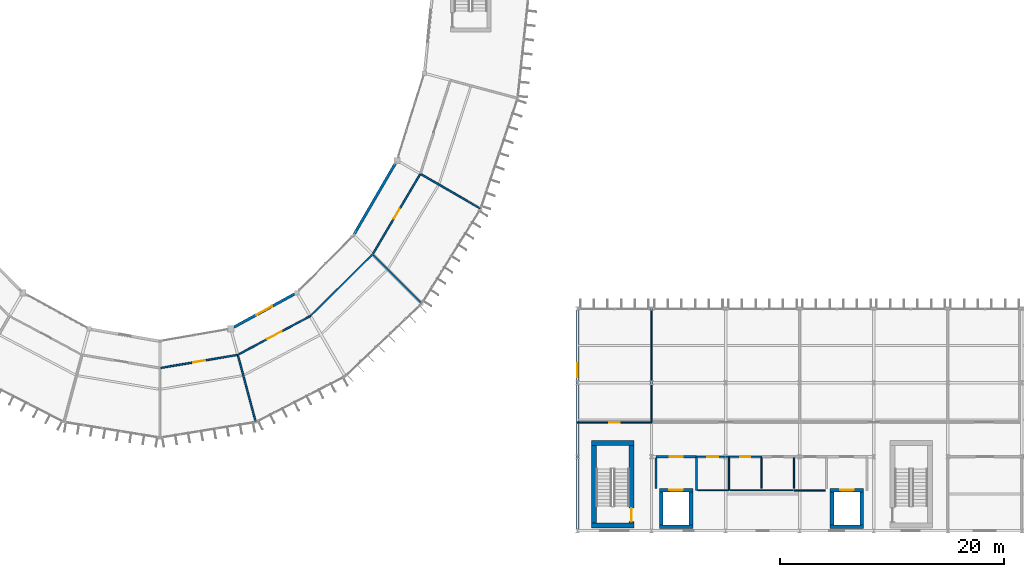
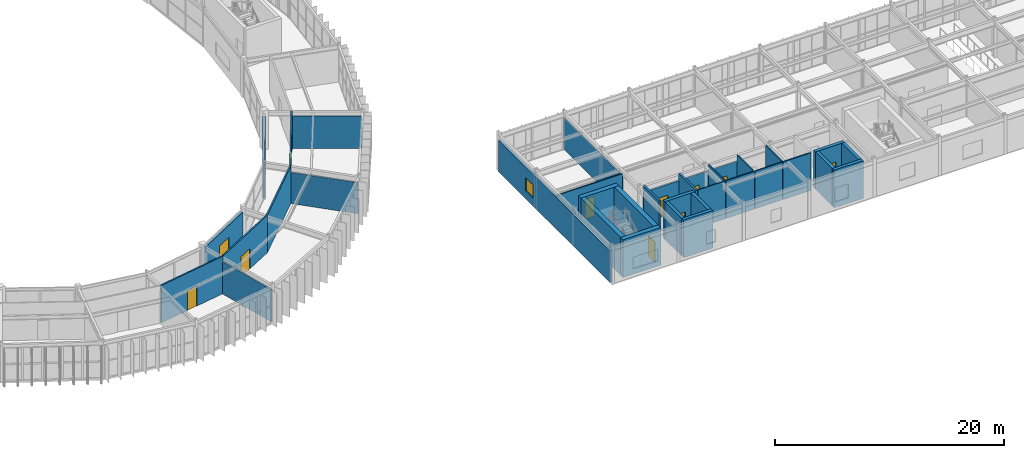
# One storey, part 112 of 130: 36 walls, 10 doors, 2 windows, 12 openings.
"""IFC4 building model written with IfcOpenShell, lengths in metres."""

from ifc_helpers import new_model, si_unit, direction, frame, frame_2d, origin, place, context, subcontext, project, spatial, rectangle, extrude, material, layer, layer_set, type_object, element, fill, save


model = new_model("IFC4")

# Units and contexts
model_context = context("Model", 3, precision=1e-05, world=origin(), true_north=direction((0.0, 1.0)))
body_context = subcontext(model_context, "Body", "Model", "MODEL_VIEW")
ifc_project = project(units=[si_unit("LENGTHUNIT", "METRE"), si_unit("AREAUNIT", "SQUARE_METRE"), si_unit("VOLUMEUNIT", "CUBIC_METRE"), si_unit("PLANEANGLEUNIT", "RADIAN"), si_unit("MASSUNIT", "GRAM", prefix="KILO")], contexts=[model_context])

# Site, building, storey
site_placement = place(None, origin())
site = spatial("IfcSite", under=ifc_project, at=site_placement, CompositionType="ELEMENT")
building_placement = place(site_placement, origin())
building = spatial("IfcBuilding", under=site, at=building_placement, Name="Karori Crest Natural Sciences Institute", CompositionType="ELEMENT")
storey_placement = place(building_placement, frame((0.0, 0.0, 17.5)))
storey = spatial("IfcBuildingStorey", under=building, at=storey_placement, Name="L04", CompositionType="ELEMENT", Elevation=17.5)

# Walls
ifc_material_1 = material(Name="Concrete 50 MPa", Category="concrete")
ifc_layer_1 = layer(ifc_material_1, 0.449951171875, Name="Concrete 50 MPa")
ifc_layer_set_1 = layer_set([ifc_layer_1], Name="Concrete 50 MPa")
wall_type_1 = type_object("IfcWallType", Name="IWT-01", PredefinedType="SHEAR", material=ifc_layer_set_1)
for number, where, z_axis, x_axis, name in (
    (1, (104.85009765625, 1.27490234375, 0.0), (0.0, 0.0, 1.0), (1.0, 0.0, 0.0), "Shear wall IW-0089"),
    (2, (104.85009765625, 8.625, 0.0), (0.0, 0.0, 1.0), (1.0, 0.0, 0.0), "Shear wall IW-0090"),
):
    element("IfcWall", number, at=place(storey_placement, frame(where, z_axis=z_axis, x_axis=x_axis)), inside=storey, type_object=wall_type_1, Name=name, PredefinedType="SHEAR", context=body_context, shape_type="SweptSolid", body=[
        extrude(rectangle(XDim=3.7998046875, YDim=0.449951171875, at=frame_2d((1.89990234375, 0.0))), origin(), (0.0, 0.0, 1.0), 4.02001953125),
    ])
wall_1_placement = place(storey_placement, frame((105.074951171875, 1.501953125, 0.0), z_axis=(0.0, 0.0, 1.0), x_axis=(0.0, 1.0, 0.0)))
element("IfcWall", 3, at=wall_1_placement, inside=storey, type_object=wall_type_1, Name="Shear wall IW-0091", PredefinedType="SHEAR", context=body_context, shape_type="SweptSolid", body=[
    extrude(rectangle(XDim=6.89599609375, YDim=0.449951171875, at=frame_2d((3.447998046875, 0.0))), origin(), (0.0, 0.0, 1.0), 4.02001953125),
])

# Wall, opening, door
wall_2_placement = place(storey_placement, frame((108.425048828125, 1.501953125, 0.0), z_axis=(0.0, 0.0, 1.0), x_axis=(0.0, 1.0, 0.0)))
wall_2 = element("IfcWall", 4, at=wall_2_placement, inside=storey, type_object=wall_type_1, Name="Shear wall IW-0092", PredefinedType="SHEAR", context=body_context, shape_type="SweptSolid", body=[
    extrude(rectangle(XDim=6.89599609375, YDim=0.449951171875, at=frame_2d((3.447998046875, 0.0))), origin(), (0.0, 0.0, 1.0), 4.02001953125),
])
opening_1_placement = place(wall_2_placement, frame((0.1201171875, 0.0, 0.0)))
opening_1 = element("IfcOpeningElement", 5, at=opening_1_placement, cuts=wall_2, Name="Opening ID-0023", PredefinedType="OPENING", context=body_context, shape_type="SweptSolid", body=[
    extrude(rectangle(XDim=1.199951171875, YDim=2.14990234375, at=frame_2d((0.60009765625, 1.074951171875))), frame((0.0, 0.23486328125, 0.0), z_axis=(0.0, -1.0, 0.0), x_axis=(1.0, 0.0, 0.0)), (0.0, 0.0, 1.0), 0.469970703125),
])
ifc_material_2 = material(Name="Stainless steel 316 and fire-rated timber", Category="steel")
door_type_1 = type_object("IfcDoorType", Name="IDT-01", OperationType="NOTDEFINED", PredefinedType="DOOR", material=ifc_material_2)
door_1_placement = place(opening_1_placement, origin())
door_1 = element("IfcDoor", 6, at=door_1_placement, inside=storey, type_object=door_type_1, Name="Stair ST-03 fire door ID-0023", OperationType="SINGLE_SWING_LEFT", OverallHeight=2.14990234375, OverallWidth=1.199951171875, PredefinedType="DOOR", context=body_context, shape_type="SweptSolid", body=[
    extrude(rectangle(XDim=1.199951171875, YDim=2.14990234375, at=frame_2d((0.60009765625, 1.074951171875))), frame((0.0, 0.02490234375, 0.0), z_axis=(0.0, -1.0, 0.0), x_axis=(1.0, 0.0, 0.0)), (0.0, 0.0, 1.0), 0.050048828125),
])
fill(opening_1, door_1)

# Wall
ifc_layer_2 = layer(ifc_material_1, 0.320068359375, Name="Concrete 50 MPa")
ifc_layer_set_2 = layer_set([ifc_layer_2], Name="Concrete 50 MPa")
wall_type_2 = type_object("IfcWallType", Name="IWT-03", PredefinedType="SHEAR", material=ifc_layer_set_2)
wall_3_placement = place(storey_placement, frame((110.919921875, 1.179931640625, 0.0), z_axis=(0.0, 0.0, 1.0), x_axis=(1.0, 0.0, 0.0)))
element("IfcWall", 7, at=wall_3_placement, inside=storey, type_object=wall_type_2, Name="Shear wall IW-0325", PredefinedType="SHEAR", context=body_context, shape_type="SweptSolid", body=[
    extrude(rectangle(XDim=2.9599609375, YDim=0.320068359375, at=frame_2d((1.47998046875, 0.0))), origin(), (0.0, 0.0, 1.0), 4.02001953125),
])

# Wall, opening, door
wall_4_placement = place(storey_placement, frame((110.919921875, 4.419921875, 0.0), z_axis=(0.0, 0.0, 1.0), x_axis=(1.0, 0.0, 0.0)))
wall_4 = element("IfcWall", 8, at=wall_4_placement, inside=storey, type_object=wall_type_2, Name="Shear wall IW-0326", PredefinedType="SHEAR", context=body_context, shape_type="SweptSolid", body=[
    extrude(rectangle(XDim=2.9599609375, YDim=0.320068359375, at=frame_2d((1.47998046875, 0.0))), origin(), (0.0, 0.0, 1.0), 4.02001953125),
])
opening_2_placement = place(wall_4_placement, frame((0.8798828125, 0.0, 0.0)))
opening_2 = element("IfcOpeningElement", 9, at=opening_2_placement, cuts=wall_4, Name="Opening LD-0006", PredefinedType="OPENING", context=body_context, shape_type="SweptSolid", body=[
    extrude(rectangle(XDim=1.199951171875, YDim=2.199951171875, at=frame_2d((0.60009765625, 1.10009765625))), frame((0.0, 0.169921875, 0.0), z_axis=(0.0, -1.0, 0.0), x_axis=(1.0, 0.0, 0.0)), (0.0, 0.0, 1.0), 0.340087890625),
])
door_type_2 = type_object("IfcDoorType", Name="LDT-02", OperationType="SLIDING_TO_LEFT", PredefinedType="DOOR", material=ifc_material_2)
door_2_placement = place(opening_2_placement, origin())
door_2 = element("IfcDoor", 10, at=door_2_placement, inside=storey, type_object=door_type_2, Name="Lift LF-01 landing door LD-0006", OperationType="SLIDING_TO_LEFT", OverallHeight=2.199951171875, OverallWidth=1.199951171875, PredefinedType="DOOR", context=body_context, shape_type="SweptSolid", body=[
    extrude(rectangle(XDim=1.199951171875, YDim=2.199951171875, at=frame_2d((0.60009765625, 1.10009765625))), frame((0.0, 0.02490234375, 0.0), z_axis=(0.0, -1.0, 0.0), x_axis=(1.0, 0.0, 0.0)), (0.0, 0.0, 1.0), 0.050048828125),
])
fill(opening_2, door_2)

# Walls
for number, where, z_axis, x_axis, name in (
    (11, (111.080078125, 1.342041015625, 0.0), (0.0, 0.0, 1.0), (0.0, 1.0, 0.0), "Shear wall IW-0327"),
    (12, (113.719970703125, 1.342041015625, 0.0), (0.0, 0.0, 1.0), (0.0, 1.0, 0.0), "Shear wall IW-0328"),
):
    element("IfcWall", number, at=place(storey_placement, frame(where, z_axis=z_axis, x_axis=x_axis)), inside=storey, type_object=wall_type_2, Name=name, PredefinedType="SHEAR", context=body_context, shape_type="SweptSolid", body=[
        extrude(rectangle(XDim=2.916015625, YDim=0.320068359375, at=frame_2d((1.4580078125, 0.0))), origin(), (0.0, 0.0, 1.0), 4.02001953125),
    ])
wall_5_placement = place(storey_placement, frame((126.1201171875, 1.179931640625, 0.0), z_axis=(0.0, 0.0, 1.0), x_axis=(1.0, 0.0, 0.0)))
element("IfcWall", 13, at=wall_5_placement, inside=storey, type_object=wall_type_2, Name="Shear wall IW-0373", PredefinedType="SHEAR", context=body_context, shape_type="SweptSolid", body=[
    extrude(rectangle(XDim=2.9599609375, YDim=0.320068359375, at=frame_2d((1.47998046875, 0.0))), origin(), (0.0, 0.0, 1.0), 4.02001953125),
])

# Wall, opening, door
wall_6_placement = place(storey_placement, frame((126.1201171875, 4.419921875, 0.0), z_axis=(0.0, 0.0, 1.0), x_axis=(1.0, 0.0, 0.0)))
wall_6 = element("IfcWall", 14, at=wall_6_placement, inside=storey, type_object=wall_type_2, Name="Shear wall IW-0374", PredefinedType="SHEAR", context=body_context, shape_type="SweptSolid", body=[
    extrude(rectangle(XDim=2.9599609375, YDim=0.320068359375, at=frame_2d((1.47998046875, 0.0))), origin(), (0.0, 0.0, 1.0), 4.02001953125),
])
opening_3_placement = place(wall_6_placement, frame((0.8798828125, 0.0, 0.0)))
opening_3 = element("IfcOpeningElement", 15, at=opening_3_placement, cuts=wall_6, Name="Opening LD-0018", PredefinedType="OPENING", context=body_context, shape_type="SweptSolid", body=[
    extrude(rectangle(XDim=1.199951171875, YDim=2.199951171875, at=frame_2d((0.60009765625, 1.10009765625))), frame((0.0, 0.169921875, 0.0), z_axis=(0.0, -1.0, 0.0), x_axis=(1.0, 0.0, 0.0)), (0.0, 0.0, 1.0), 0.340087890625),
])
door_3_placement = place(opening_3_placement, origin())
door_3 = element("IfcDoor", 16, at=door_3_placement, inside=storey, type_object=door_type_2, Name="Lift LF-02 landing door LD-0018", OperationType="SLIDING_TO_LEFT", OverallHeight=2.199951171875, OverallWidth=1.199951171875, PredefinedType="DOOR", context=body_context, shape_type="SweptSolid", body=[
    extrude(rectangle(XDim=1.199951171875, YDim=2.199951171875, at=frame_2d((0.60009765625, 1.10009765625))), frame((0.0, 0.02490234375, 0.0), z_axis=(0.0, -1.0, 0.0), x_axis=(1.0, 0.0, 0.0)), (0.0, 0.0, 1.0), 0.050048828125),
])
fill(opening_3, door_3)

# Walls
for number, where, z_axis, x_axis, name in (
    (17, (126.280029296875, 1.342041015625, 0.0), (0.0, 0.0, 1.0), (0.0, 1.0, 0.0), "Shear wall IW-0375"),
    (18, (128.919921875, 1.342041015625, 0.0), (0.0, 0.0, 1.0), (0.0, 1.0, 0.0), "Shear wall IW-0376"),
):
    element("IfcWall", number, at=place(storey_placement, frame(where, z_axis=z_axis, x_axis=x_axis)), inside=storey, type_object=wall_type_2, Name=name, PredefinedType="SHEAR", context=body_context, shape_type="SweptSolid", body=[
        extrude(rectangle(XDim=2.916015625, YDim=0.320068359375, at=frame_2d((1.4580078125, 0.0))), origin(), (0.0, 0.0, 1.0), 4.02001953125),
    ])

# Wall, opening, door
ifc_material_3 = material(Name="Concrete 40 MPa", Category="concrete")
ifc_layer_3 = layer(ifc_material_3, 0.199951171875, Name="Concrete 40 MPa")
ifc_layer_set_3 = layer_set([ifc_layer_3], Name="Concrete 40 MPa")
wall_type_3 = type_object("IfcWallType", Name="IWT-04", PredefinedType="SOLIDWALL", material=ifc_layer_set_3)
wall_7_placement = place(storey_placement, frame((110.60009765625, 7.39990234375, 0.0), z_axis=(0.0, 0.0, 1.0), x_axis=(1.0, 0.0, 0.0)))
wall_7 = element("IfcWall", 19, at=wall_7_placement, inside=storey, type_object=wall_type_3, Name="Partition wall IW-0691", PredefinedType="SOLIDWALL", context=body_context, shape_type="SweptSolid", body=[
    extrude(rectangle(XDim=3.599853515625, YDim=0.199951171875, at=frame_2d((1.7998046875, 0.0))), origin(), (0.0, 0.0, 1.0), 3.29296875),
])
opening_4_placement = place(wall_7_placement, frame((1.22509765625, 0.0, 0.0)))
opening_4 = element("IfcOpeningElement", 20, at=opening_4_placement, cuts=wall_7, Name="Opening ID-0136", PredefinedType="OPENING", context=body_context, shape_type="SweptSolid", body=[
    extrude(rectangle(XDim=1.14990234375, YDim=2.14990234375, at=frame_2d((0.574951171875, 1.074951171875))), frame((0.0, 0.10986328125, 0.0), z_axis=(0.0, -1.0, 0.0), x_axis=(1.0, 0.0, 0.0)), (0.0, 0.0, 1.0), 0.219970703125),
])
door_type_3 = type_object("IfcDoorType", Name="IDT-02", OperationType="NOTDEFINED", PredefinedType="DOOR", material=ifc_material_2)
door_4_placement = place(opening_4_placement, origin())
door_4 = element("IfcDoor", 21, at=door_4_placement, inside=storey, type_object=door_type_3, Name="Firefighting Lift Lobby West door ID-0136", OperationType="SINGLE_SWING_RIGHT", OverallHeight=2.14990234375, OverallWidth=1.14990234375, PredefinedType="DOOR", context=body_context, shape_type="SweptSolid", body=[
    extrude(rectangle(XDim=1.14990234375, YDim=2.14990234375, at=frame_2d((0.574951171875, 1.074951171875))), frame((0.0, 0.02490234375, 0.0), z_axis=(0.0, -1.0, 0.0), x_axis=(1.0, 0.0, 0.0)), (0.0, 0.0, 1.0), 0.050048828125),
])
fill(opening_4, door_4)

# Walls
wall_8_placement = place(storey_placement, frame((110.60009765625, 4.58203125, 0.0), z_axis=(0.0, 0.0, 1.0), x_axis=(0.0, 1.0, 0.0)))
element("IfcWall", 22, at=wall_8_placement, inside=storey, type_object=wall_type_3, Name="Partition wall IW-0692", PredefinedType="SOLIDWALL", context=body_context, shape_type="SweptSolid", body=[
    extrude(rectangle(XDim=2.716064453125, YDim=0.199951171875, at=frame_2d((1.35791015625, 0.0))), origin(), (0.0, 0.0, 1.0), 4.02001953125),
])
wall_9_placement = place(storey_placement, frame((114.199951171875, 4.39990234375, 0.0), z_axis=(0.0, 0.0, 1.0), x_axis=(0.0, 1.0, 0.0)))
element("IfcWall", 23, at=wall_9_placement, inside=storey, type_object=wall_type_3, Name="Partition wall IW-0693", PredefinedType="SOLIDWALL", context=body_context, shape_type="SweptSolid", body=[
    extrude(rectangle(XDim=3.0, YDim=0.199951171875, at=frame_2d((1.5, 0.0))), origin(), (0.0, 0.0, 1.0), 4.02001953125),
])

# Wall, opening, door
ifc_material_4 = material(Name="Laboratory acoustic drywall partition")
ifc_layer_4 = layer(ifc_material_4, 0.139892578125, Name="Laboratory acoustic drywall partition")
ifc_layer_set_4 = layer_set([ifc_layer_4], Name="Laboratory acoustic drywall partition")
wall_type_4 = type_object("IfcWallType", Name="IWT-07", PredefinedType="PARTITIONING", material=ifc_layer_set_4)
wall_10_placement = place(storey_placement, frame((66.471923828125, 15.312255859375, 0.0), z_axis=(0.0, 0.0, 1.0), x_axis=(0.985861002198, 0.167565164474, 0.0)))
wall_10 = element("IfcWall", 24, at=wall_10_placement, inside=storey, type_object=wall_type_4, Name="Partition wall IW-1358", PredefinedType="PARTITIONING", context=body_context, shape_type="SweptSolid", body=[
    extrude(rectangle(XDim=6.962890625, YDim=0.139892578125, at=frame_2d((3.4814453125, 0.0))), origin(), (0.0, 0.0, 1.0), 4.0),
])
opening_5_placement = place(wall_10_placement, frame((2.956298828125, 0.0, 0.0)))
opening_5 = element("IfcOpeningElement", 25, at=opening_5_placement, cuts=wall_10, Name="Opening ID-0428", PredefinedType="OPENING", context=body_context, shape_type="SweptSolid", body=[
    extrude(rectangle(XDim=1.050048828125, YDim=2.14990234375, at=frame_2d((0.52490234375, 1.074951171875))), frame((0.0, 0.080078125, 0.0), z_axis=(0.0, -1.0, 0.0), x_axis=(1.0, 0.0, 0.0)), (0.0, 0.0, 1.0), 0.159912109375),
])
door_type_4 = type_object("IfcDoorType", Name="IDT-03", OperationType="NOTDEFINED", PredefinedType="DOOR", material=ifc_material_2)
door_5_placement = place(opening_5_placement, origin())
door_5 = element("IfcDoor", 26, at=door_5_placement, inside=storey, type_object=door_type_4, Name="Paleoclimate Core Analysis Laboratory door ID-0428", OperationType="SINGLE_SWING_LEFT", OverallHeight=2.14990234375, OverallWidth=1.050048828125, PredefinedType="DOOR", context=body_context, shape_type="SweptSolid", body=[
    extrude(rectangle(XDim=1.050048828125, YDim=2.14990234375, at=frame_2d((0.52490234375, 1.074951171875))), frame((0.0, 0.02490234375, 0.0), z_axis=(0.0, -1.0, 0.0), x_axis=(1.0, 0.0, 0.0)), (0.0, 0.0, 1.0), 0.050048828125),
])
fill(opening_5, door_5)

# Wall
wall_11_placement = place(storey_placement, frame((73.357177734375, 16.401611328125, 0.0), z_axis=(0.0, 0.0, 1.0), x_axis=(0.258805895167, -0.965929349708, 0.0)))
element("IfcWall", 27, at=wall_11_placement, inside=storey, type_object=wall_type_4, Name="Partition wall IW-1359", PredefinedType="PARTITIONING", context=body_context, shape_type="SweptSolid", body=[
    extrude(rectangle(XDim=6.06005859375, YDim=0.139892578125, at=frame_2d((3.030029296875, 0.0))), origin(), (0.0, 0.0, 1.0), 3.465087890625),
])

# Wall, opening, door
wall_12_placement = place(storey_placement, frame((73.401611328125, 16.513916015625, 0.0), z_axis=(0.0, 0.0, 1.0), x_axis=(0.881829873621, 0.471567676999, 0.0)))
wall_12 = element("IfcWall", 28, at=wall_12_placement, inside=storey, type_object=wall_type_4, Name="Partition wall IW-1360", PredefinedType="PARTITIONING", context=body_context, shape_type="SweptSolid", body=[
    extrude(rectangle(XDim=7.255859375, YDim=0.139892578125, at=frame_2d((3.6279296875, 0.0))), origin(), (0.0, 0.0, 1.0), 4.0),
])
opening_6_placement = place(wall_12_placement, frame((2.8779296875, 0.0, 0.0)))
opening_6 = element("IfcOpeningElement", 29, at=opening_6_placement, cuts=wall_12, Name="Opening ID-0429", PredefinedType="OPENING", context=body_context, shape_type="SweptSolid", body=[
    extrude(rectangle(XDim=1.5, YDim=2.14990234375, at=frame_2d((0.75, 1.074951171875))), frame((0.0, 0.080078125, 0.0), z_axis=(0.0, -1.0, 0.0), x_axis=(1.0, 0.0, 0.0)), (0.0, 0.0, 1.0), 0.159912109375),
])
door_type_5 = type_object("IfcDoorType", Name="IDT-05", OperationType="DOUBLE_DOOR_SINGLE_SWING", PredefinedType="DOOR", material=ifc_material_2)
door_6_placement = place(opening_6_placement, origin())
door_6 = element("IfcDoor", 30, at=door_6_placement, inside=storey, type_object=door_type_5, Name="Dry Optics Physics Laboratory door ID-0429", OperationType="DOUBLE_DOOR_SINGLE_SWING", OverallHeight=2.14990234375, OverallWidth=1.5, PredefinedType="DOOR", context=body_context, shape_type="SweptSolid", body=[
    extrude(rectangle(XDim=1.5, YDim=2.14990234375, at=frame_2d((0.75, 1.074951171875))), frame((0.0, 0.02490234375, 0.0), z_axis=(0.0, -1.0, 0.0), x_axis=(1.0, 0.0, 0.0)), (0.0, 0.0, 1.0), 0.050048828125),
])
fill(opening_6, door_6)

# Walls
wall_13_placement = place(storey_placement, frame((79.801513671875, 19.93701171875, 0.0), z_axis=(0.0, 0.0, 1.0), x_axis=(0.710427757183, 0.703770134222, 0.0)))
element("IfcWall", 31, at=wall_13_placement, inside=storey, type_object=wall_type_4, Name="Partition wall IW-1361", PredefinedType="PARTITIONING", context=body_context, shape_type="SweptSolid", body=[
    extrude(rectangle(XDim=7.810791015625, YDim=0.139892578125, at=frame_2d((3.9052734375, 0.0))), origin(), (0.0, 0.0, 1.0), 4.0),
])
wall_14_placement = place(storey_placement, frame((85.406982421875, 25.37744140625, 0.0), z_axis=(0.0, 0.0, 1.0), x_axis=(0.707106781187, -0.707106781187, 0.0)))
element("IfcWall", 32, at=wall_14_placement, inside=storey, type_object=wall_type_4, Name="Partition wall IW-1362", PredefinedType="PARTITIONING", context=body_context, shape_type="SweptSolid", body=[
    extrude(rectangle(XDim=6.06005859375, YDim=0.139892578125, at=frame_2d((3.030029296875, 0.0))), origin(), (0.0, 0.0, 1.0), 3.322998046875),
])

# Wall, opening, door
wall_15_placement = place(storey_placement, frame((85.388427734375, 25.497802734375, 0.0), z_axis=(0.0, 0.0, 1.0), x_axis=(0.510914893672, 0.8596312997, 0.0)))
wall_15 = element("IfcWall", 33, at=wall_15_placement, inside=storey, type_object=wall_type_4, Name="Partition wall IW-1363", PredefinedType="PARTITIONING", context=body_context, shape_type="SweptSolid", body=[
    extrude(rectangle(XDim=8.261962890625, YDim=0.139892578125, at=frame_2d((4.130859375, 0.0))), origin(), (0.0, 0.0, 1.0), 4.0),
])
opening_7_placement = place(wall_15_placement, frame((3.60595703125, 0.0, 0.0)))
opening_7 = element("IfcOpeningElement", 34, at=opening_7_placement, cuts=wall_15, Name="Opening ID-0430", PredefinedType="OPENING", context=body_context, shape_type="SweptSolid", body=[
    extrude(rectangle(XDim=1.050048828125, YDim=2.14990234375, at=frame_2d((0.52490234375, 1.074951171875))), frame((0.0, 0.080078125, 0.0), z_axis=(0.0, -1.0, 0.0), x_axis=(1.0, 0.0, 0.0)), (0.0, 0.0, 1.0), 0.159912109375),
])
door_7_placement = place(opening_7_placement, origin())
door_7 = element("IfcDoor", 35, at=door_7_placement, inside=storey, type_object=door_type_4, Name="Atmospheric Physics Laboratory door ID-0430", OperationType="SINGLE_SWING_RIGHT", OverallHeight=2.14990234375, OverallWidth=1.050048828125, PredefinedType="DOOR", context=body_context, shape_type="SweptSolid", body=[
    extrude(rectangle(XDim=1.050048828125, YDim=2.14990234375, at=frame_2d((0.52490234375, 1.074951171875))), frame((0.0, 0.02490234375, 0.0), z_axis=(0.0, -1.0, 0.0), x_axis=(1.0, 0.0, 0.0)), (0.0, 0.0, 1.0), 0.050048828125),
])
fill(opening_7, door_7)

# Walls
wall_16_placement = place(storey_placement, frame((89.6787109375, 32.56005859375, 0.0), z_axis=(0.0, 0.0, 1.0), x_axis=(0.866020543329, -0.500008418462, 0.0)))
element("IfcWall", 36, at=wall_16_placement, inside=storey, type_object=wall_type_4, Name="Partition wall IW-1364", PredefinedType="PARTITIONING", context=body_context, shape_type="SweptSolid", body=[
    extrude(rectangle(XDim=6.06005859375, YDim=0.139892578125, at=frame_2d((3.030029296875, 0.0))), origin(), (0.0, 0.0, 1.0), 3.470947265625),
])
ifc_material_5 = material(Name="Write-up office acoustic partition")
ifc_layer_5 = layer(ifc_material_5, 0.1201171875, Name="Write-up office acoustic partition")
ifc_layer_set_5 = layer_set([ifc_layer_5], Name="Write-up office acoustic partition")
wall_type_5 = type_object("IfcWallType", Name="IWT-08", PredefinedType="PARTITIONING", material=ifc_layer_set_5)
wall_17_placement = place(storey_placement, frame((122.89990234375, 4.39990234375, 0.0), z_axis=(0.0, 0.0, 1.0), x_axis=(1.0, 0.0, 0.0)))
element("IfcWall", 37, at=wall_17_placement, inside=storey, type_object=wall_type_5, Name="Partition wall IW-0697", PredefinedType="PARTITIONING", context=body_context, shape_type="SweptSolid", body=[
    extrude(rectangle(XDim=2.798095703125, YDim=0.1201171875, at=frame_2d((1.39892578125, 0.0))), origin(), (0.0, 0.0, 1.0), 4.02001953125),
])
wall_18_placement = place(storey_placement, frame((122.89990234375, 4.58203125, 0.0), z_axis=(0.0, 0.0, 1.0), x_axis=(0.0, 1.0, 0.0)))
element("IfcWall", 38, at=wall_18_placement, inside=storey, type_object=wall_type_5, Name="Partition wall IW-0699", PredefinedType="PARTITIONING", context=body_context, shape_type="SweptSolid", body=[
    extrude(rectangle(XDim=2.716064453125, YDim=0.1201171875, at=frame_2d((1.35791015625, 0.0))), origin(), (0.0, 0.0, 1.0), 4.02001953125),
])

# Wall, opening, door
wall_19_placement = place(storey_placement, frame((103.60009765625, 10.449951171875, 0.0), z_axis=(0.0, 0.0, 1.0), x_axis=(1.0, 0.0, 0.0)))
wall_19 = element("IfcWall", 39, at=wall_19_placement, inside=storey, type_object=wall_type_5, Name="Partition wall IW-0712", PredefinedType="PARTITIONING", context=body_context, shape_type="SweptSolid", body=[
    extrude(rectangle(XDim=6.599853515625, YDim=0.1201171875, at=frame_2d((3.2998046875, 0.0))), origin(), (0.0, 0.0, 1.0), 3.5458984375),
])
opening_8_placement = place(wall_19_placement, frame((2.824951171875, 0.0, 0.0)))
opening_8 = element("IfcOpeningElement", 40, at=opening_8_placement, cuts=wall_19, Name="Opening ID-0144", PredefinedType="OPENING", context=body_context, shape_type="SweptSolid", body=[
    extrude(rectangle(XDim=0.949951171875, YDim=2.10009765625, at=frame_2d((0.47509765625, 1.050048828125))), frame((0.0, 0.070068359375, 0.0), z_axis=(0.0, -1.0, 0.0), x_axis=(1.0, 0.0, 0.0)), (0.0, 0.0, 1.0), 0.14013671875),
])
ifc_material_6 = material(Name="Anodised aluminium and acoustic timber", Category="wood")
door_type_6 = type_object("IfcDoorType", Name="IDT-08", OperationType="NOTDEFINED", PredefinedType="DOOR", material=ifc_material_6)
door_8_placement = place(opening_8_placement, origin())
door_8 = element("IfcDoor", 41, at=door_8_placement, inside=storey, type_object=door_type_6, Name="Researcher Write-Up Office door ID-0144", OperationType="SINGLE_SWING_RIGHT", OverallHeight=2.10009765625, OverallWidth=0.949951171875, PredefinedType="DOOR", context=body_context, shape_type="SweptSolid", body=[
    extrude(rectangle(XDim=0.949951171875, YDim=2.10009765625, at=frame_2d((0.47509765625, 1.050048828125))), frame((0.0, 0.02490234375, 0.0), z_axis=(0.0, -1.0, 0.0), x_axis=(1.0, 0.0, 0.0)), (0.0, 0.0, 1.0), 0.050048828125),
])
fill(opening_8, door_8)

# Walls
wall_20_placement = place(storey_placement, frame((110.199951171875, 10.449951171875, 0.0), z_axis=(0.0, 0.0, 1.0), x_axis=(0.0, 1.0, 0.0)))
element("IfcWall", 42, at=wall_20_placement, inside=storey, type_object=wall_type_5, Name="Partition wall IW-0713", PredefinedType="PARTITIONING", context=body_context, shape_type="SweptSolid", body=[
    extrude(rectangle(XDim=10.150146484375, YDim=0.1201171875, at=frame_2d((5.0751953125, 0.0))), origin(), (0.0, 0.0, 1.0), 3.3720703125),
])
ifc_material_7 = material(Name="Washroom moisture-resistant partition")
ifc_layer_6 = layer(ifc_material_7, 0.10009765625, Name="Washroom moisture-resistant partition")
ifc_layer_set_6 = layer_set([ifc_layer_6], Name="Washroom moisture-resistant partition")
wall_type_6 = type_object("IfcWallType", Name="IWT-09", PredefinedType="PARTITIONING", material=ifc_layer_set_6)
wall_21_placement = place(storey_placement, frame((114.302001953125, 4.39990234375, 0.0), z_axis=(0.0, 0.0, 1.0), x_axis=(1.0, 0.0, 0.0)))
element("IfcWall", 43, at=wall_21_placement, inside=storey, type_object=wall_type_6, Name="Partition wall IW-0700", PredefinedType="PARTITIONING", context=body_context, shape_type="SweptSolid", body=[
    extrude(rectangle(XDim=2.798095703125, YDim=0.10009765625, at=frame_2d((1.39892578125, 0.0))), origin(), (0.0, 0.0, 1.0), 4.02001953125),
])

# Wall, opening, door
wall_22_placement = place(storey_placement, frame((114.201904296875, 7.39990234375, 0.0), z_axis=(0.0, 0.0, 1.0), x_axis=(1.0, 0.0, 0.0)))
wall_22 = element("IfcWall", 44, at=wall_22_placement, inside=storey, type_object=wall_type_6, Name="Partition wall IW-0701", PredefinedType="PARTITIONING", context=body_context, shape_type="SweptSolid", body=[
    extrude(rectangle(XDim=2.898193359375, YDim=0.10009765625, at=frame_2d((1.44921875, 0.0))), origin(), (0.0, 0.0, 1.0), 3.29296875),
])
opening_9_placement = place(wall_22_placement, frame((0.948974609375, 0.0, 0.0)))
opening_9 = element("IfcOpeningElement", 45, at=opening_9_placement, cuts=wall_22, Name="Opening ID-0139", PredefinedType="OPENING", context=body_context, shape_type="SweptSolid", body=[
    extrude(rectangle(XDim=1.0, YDim=2.10009765625, at=frame_2d((0.5, 1.050048828125))), frame((0.0, 0.06005859375, 0.0), z_axis=(0.0, -1.0, 0.0), x_axis=(1.0, 0.0, 0.0)), (0.0, 0.0, 1.0), 0.1201171875),
])
door_type_7 = type_object("IfcDoorType", Name="IDT-09", OperationType="NOTDEFINED", PredefinedType="DOOR", material=ifc_material_6)
door_9_placement = place(opening_9_placement, origin())
door_9 = element("IfcDoor", 46, at=door_9_placement, inside=storey, type_object=door_type_7, Name="Accessible WC door ID-0139", OperationType="SINGLE_SWING_LEFT", OverallHeight=2.10009765625, OverallWidth=1.0, PredefinedType="DOOR", context=body_context, shape_type="SweptSolid", body=[
    extrude(rectangle(XDim=1.0, YDim=2.10009765625, at=frame_2d((0.5, 1.050048828125))), frame((0.0, 0.02490234375, 0.0), z_axis=(0.0, -1.0, 0.0), x_axis=(1.0, 0.0, 0.0)), (0.0, 0.0, 1.0), 0.050048828125),
])
fill(opening_9, door_9)

# Walls
wall_23_placement = place(storey_placement, frame((117.10009765625, 4.4619140625, 0.0), z_axis=(0.0, 0.0, 1.0), x_axis=(0.0, 1.0, 0.0)))
element("IfcWall", 47, at=wall_23_placement, inside=storey, type_object=wall_type_6, Name="Partition wall IW-0702", PredefinedType="PARTITIONING", context=body_context, shape_type="SweptSolid", body=[
    extrude(rectangle(XDim=2.836181640625, YDim=0.10009765625, at=frame_2d((1.41796875, 0.0))), origin(), (0.0, 0.0, 1.0), 4.02001953125),
])
wall_24_placement = place(storey_placement, frame((117.152099609375, 4.39990234375, 0.0), z_axis=(0.0, 0.0, 1.0), x_axis=(1.0, 0.0, 0.0)))
element("IfcWall", 48, at=wall_24_placement, inside=storey, type_object=wall_type_6, Name="Partition wall IW-0703", PredefinedType="PARTITIONING", context=body_context, shape_type="SweptSolid", body=[
    extrude(rectangle(XDim=2.847900390625, YDim=0.10009765625, at=frame_2d((1.423828125, 0.0))), origin(), (0.0, 0.0, 1.0), 4.02001953125),
])

# Wall, opening, door
wall_25_placement = place(storey_placement, frame((117.10205078125, 7.39990234375, 0.0), z_axis=(0.0, 0.0, 1.0), x_axis=(1.0, 0.0, 0.0)))
wall_25 = element("IfcWall", 49, at=wall_25_placement, inside=storey, type_object=wall_type_6, Name="Partition wall IW-0704", PredefinedType="PARTITIONING", context=body_context, shape_type="SweptSolid", body=[
    extrude(rectangle(XDim=2.89794921875, YDim=0.10009765625, at=frame_2d((1.448974609375, 0.0))), origin(), (0.0, 0.0, 1.0), 3.29296875),
])
opening_10_placement = place(wall_25_placement, frame((1.009033203125, 0.0, 0.0)))
opening_10 = element("IfcOpeningElement", 50, at=opening_10_placement, cuts=wall_25, Name="Opening ID-0140", PredefinedType="OPENING", context=body_context, shape_type="SweptSolid", body=[
    extrude(rectangle(XDim=0.8798828125, YDim=2.080078125, at=frame_2d((0.43994140625, 1.0400390625))), frame((0.0, 0.06005859375, 0.0), z_axis=(0.0, -1.0, 0.0), x_axis=(1.0, 0.0, 0.0)), (0.0, 0.0, 1.0), 0.1201171875),
])
door_type_8 = type_object("IfcDoorType", Name="IDT-10", OperationType="NOTDEFINED", PredefinedType="DOOR", material=ifc_material_6)
door_10_placement = place(opening_10_placement, origin())
door_10 = element("IfcDoor", 51, at=door_10_placement, inside=storey, type_object=door_type_8, Name="Female Washroom WC door ID-0140", OperationType="SINGLE_SWING_RIGHT", OverallHeight=2.080078125, OverallWidth=0.8798828125, PredefinedType="DOOR", context=body_context, shape_type="SweptSolid", body=[
    extrude(rectangle(XDim=0.8798828125, YDim=2.080078125, at=frame_2d((0.43994140625, 1.0400390625))), frame((0.0, 0.02490234375, 0.0), z_axis=(0.0, -1.0, 0.0), x_axis=(1.0, 0.0, 0.0)), (0.0, 0.0, 1.0), 0.050048828125),
])
fill(opening_10, door_10)

# Walls
wall_26_placement = place(storey_placement, frame((120.0, 4.58203125, 0.0), z_axis=(0.0, 0.0, 1.0), x_axis=(0.0, 1.0, 0.0)))
element("IfcWall", 52, at=wall_26_placement, inside=storey, type_object=wall_type_6, Name="Partition wall IW-0705", PredefinedType="PARTITIONING", context=body_context, shape_type="SweptSolid", body=[
    extrude(rectangle(XDim=2.716064453125, YDim=0.10009765625, at=frame_2d((1.35791015625, 0.0))), origin(), (0.0, 0.0, 1.0), 4.02001953125),
])
wall_27_placement = place(storey_placement, frame((120.052001953125, 4.39990234375, 0.0), z_axis=(0.0, 0.0, 1.0), x_axis=(1.0, 0.0, 0.0)))
element("IfcWall", 53, at=wall_27_placement, inside=storey, type_object=wall_type_6, Name="Partition wall IW-0706", PredefinedType="PARTITIONING", context=body_context, shape_type="SweptSolid", body=[
    extrude(rectangle(XDim=2.785888671875, YDim=0.10009765625, at=frame_2d((1.39306640625, 0.0))), origin(), (0.0, 0.0, 1.0), 4.02001953125),
])

# Wall, opening, window
ifc_material_8 = material(Name="Precast concrete 40 MPa", Category="concrete")
ifc_layer_7 = layer(ifc_material_8, 0.239990234375, Name="Precast concrete 40 MPa")
ifc_layer_set_7 = layer_set([ifc_layer_7], Name="Precast concrete 40 MPa")
wall_type_7 = type_object("IfcWallType", Name="WT-04", PredefinedType="SOLIDWALL", material=ifc_layer_set_7)
wall_28_placement = place(storey_placement, frame((72.98828125, 18.946533203125, 0.0), z_axis=(0.0, 0.0, 1.0), x_axis=(0.877477839064, 0.479617182712, 0.0)))
wall_28 = element("IfcWall", 54, at=wall_28_placement, inside=storey, type_object=wall_type_7, Name="Exterior wall EW-0085", PredefinedType="SOLIDWALL", context=body_context, shape_type="SweptSolid", body=[
    extrude(rectangle(XDim=6.16943359375, YDim=0.239990234375, at=frame_2d((3.084716796875, 0.0))), origin(), (0.0, 0.0, 1.0), 3.64990234375),
])
opening_11_placement = place(wall_28_placement, frame((2.28466796875, 0.0, 0.85009765625)))
opening_11 = element("IfcOpeningElement", 55, at=opening_11_placement, cuts=wall_28, Name="Opening WN-0036", PredefinedType="OPENING", context=body_context, shape_type="SweptSolid", body=[
    extrude(rectangle(XDim=1.60009765625, YDim=1.5, at=frame_2d((0.800048828125, 0.75))), frame((0.0, 0.1298828125, 0.0), z_axis=(0.0, -1.0, 0.0), x_axis=(1.0, 0.0, 0.0)), (0.0, 0.0, 1.0), 0.260009765625),
])
ifc_material_9 = material(Name="Double low-E laminated glass", Category="glass")
window_type_1 = type_object("IfcWindowType", Name="WNT-20", PartitioningType="SINGLE_PANEL", PredefinedType="WINDOW", material=ifc_material_9)
window_1_placement = place(opening_11_placement, origin())
window_1 = element("IfcWindow", 56, at=window_1_placement, inside=storey, type_object=window_type_1, Name="Window WN-0036", OverallHeight=1.5, OverallWidth=1.60009765625, PartitioningType="SINGLE_PANEL", PredefinedType="WINDOW", context=body_context, shape_type="SweptSolid", body=[
    extrude(rectangle(XDim=1.60009765625, YDim=1.5, at=frame_2d((0.800048828125, 0.75))), frame((0.0, 0.030029296875, 0.0), z_axis=(0.0, -1.0, 0.0), x_axis=(1.0, 0.0, 0.0)), (0.0, 0.0, 1.0), 0.06005859375),
])
fill(opening_11, window_1)

# Wall
wall_29_placement = place(storey_placement, frame((83.71337890625, 27.234619140625, 0.0), z_axis=(0.0, 0.0, 1.0), x_axis=(0.502677590803, 0.864473967048, 0.0)))
element("IfcWall", 57, at=wall_29_placement, inside=storey, type_object=wall_type_7, Name="Exterior wall EW-0086", PredefinedType="SOLIDWALL", context=body_context, shape_type="SweptSolid", body=[
    extrude(rectangle(XDim=7.2783203125, YDim=0.239990234375, at=frame_2d((3.63916015625, 0.0))), origin(), (0.0, 0.0, 1.0), 3.64990234375),
])

# Wall, opening, window
wall_30_placement = place(storey_placement, frame((103.60009765625, 0.96142578125, 0.0), z_axis=(0.0, 0.0, 1.0), x_axis=(0.0, 1.0, 0.0)))
wall_30 = element("IfcWall", 58, at=wall_30_placement, inside=storey, type_object=wall_type_7, Name="Exterior wall EW-0206", PredefinedType="SOLIDWALL", context=body_context, shape_type="SweptSolid", body=[
    extrude(rectangle(XDim=19.47705078125, YDim=0.239990234375, at=frame_2d((9.738525390625, 0.0))), origin(), (0.0, 0.0, 1.0), 3.3720703125),
])
opening_12_placement = place(wall_30_placement, frame((13.5, 0.0, 0.85009765625)))
opening_12 = element("IfcOpeningElement", 59, at=opening_12_placement, cuts=wall_30, Name="Opening WN-0168", PredefinedType="OPENING", context=body_context, shape_type="SweptSolid", body=[
    extrude(rectangle(XDim=1.25, YDim=1.39990234375, at=frame_2d((0.625, 0.699951171875))), frame((0.0, 0.1298828125, 0.0), z_axis=(0.0, -1.0, 0.0), x_axis=(1.0, 0.0, 0.0)), (0.0, 0.0, 1.0), 0.260009765625),
])
window_type_2 = type_object("IfcWindowType", Name="WNT-02", PartitioningType="SINGLE_PANEL", PredefinedType="WINDOW", material=ifc_material_9)
window_2_placement = place(opening_12_placement, origin())
window_2 = element("IfcWindow", 60, at=window_2_placement, inside=storey, type_object=window_type_2, Name="Window WN-0168", OverallHeight=1.39990234375, OverallWidth=1.25, PartitioningType="SINGLE_PANEL", PredefinedType="WINDOW", context=body_context, shape_type="SweptSolid", body=[
    extrude(rectangle(XDim=1.25, YDim=1.39990234375, at=frame_2d((0.625, 0.699951171875))), frame((0.0, 0.030029296875, 0.0), z_axis=(0.0, -1.0, 0.0), x_axis=(1.0, 0.0, 0.0)), (0.0, 0.0, 1.0), 0.06005859375),
])
fill(opening_12, window_2)

save(model, "model.ifc")
